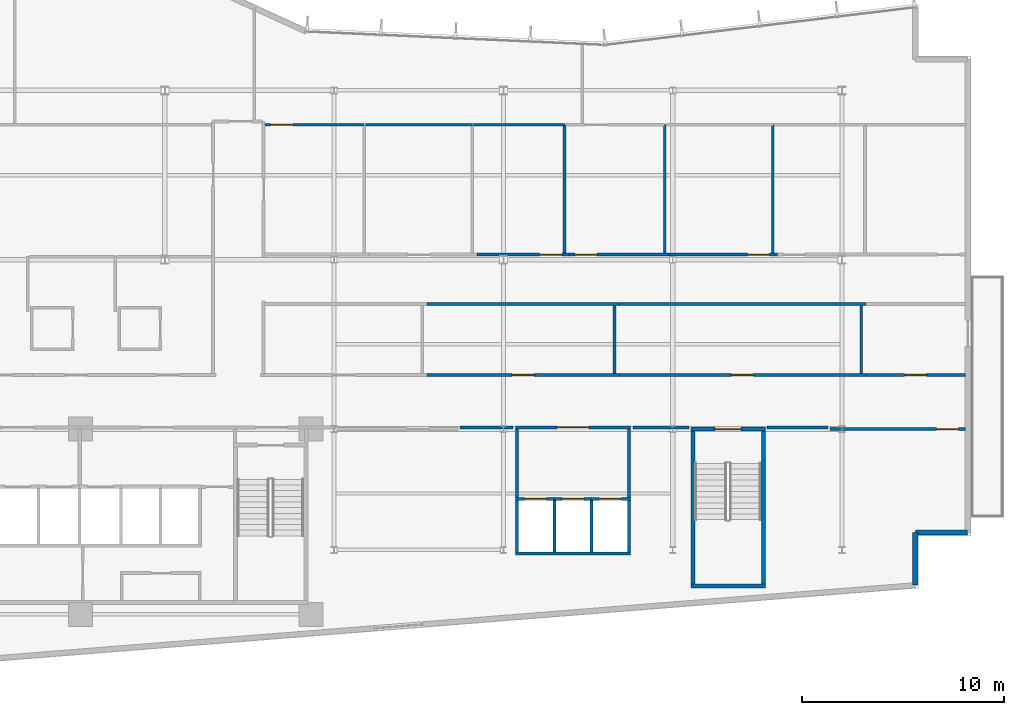
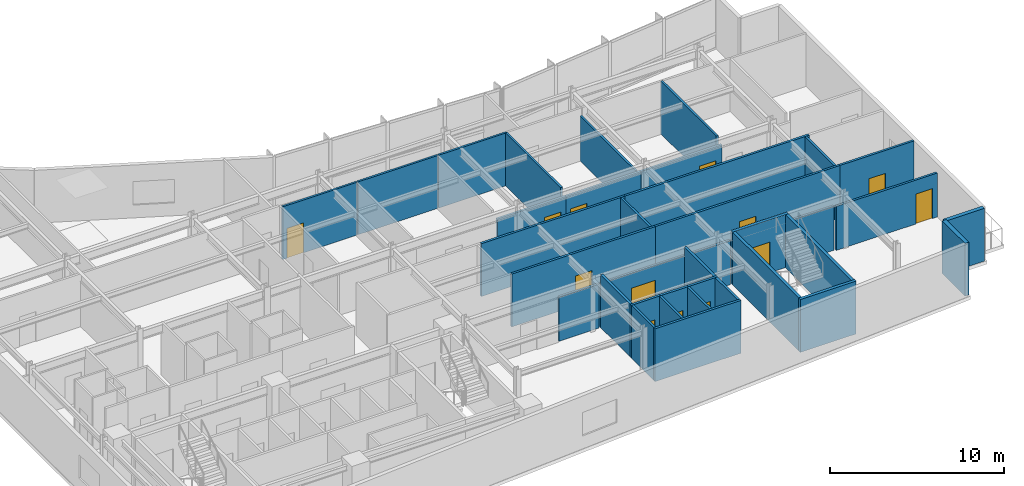
# One storey, part 12 of 18: 37 walls, 13 doors, 13 openings.
"""IFC4 building model written with IfcOpenShell, lengths in metres."""

import ifcopenshell
import ifcopenshell.guid

model = None  # the IFC model being written
_history = None  # IfcOwnerHistory: only IFC2X3 demands one
_inside = {}  # id of a spatial element -> (the spatial element, [elements in it])
_under = {}  # id of a project, library or spatial element -> (it, [spatial elements below it])
_declared = {}  # id of a project -> (the project, [libraries it declares])
_typed = {}  # id of a type object -> (the type object, [elements of that type])
_made_of = {}  # id of a material, layer set ... -> (it, [elements and type objects made of it])


def new_model(schema):
    """Start an empty IFC model of exactly this schema.

    Asked for "IFC4X3", IfcOpenShell would pick the latest addendum, in which some entities
    have other attributes; the version numbers below select the first issue.
    IFC2X3 requires an IfcOwnerHistory on every rooted entity: one is made here for all.
    """
    global model, _history
    if schema == "IFC4X3":
        model = ifcopenshell.file(schema_version=(4, 3, 0, 0))
    else:
        model = ifcopenshell.file(schema=schema)
    _inside.clear()
    _under.clear()
    _declared.clear()
    _typed.clear()
    _made_of.clear()
    _history = None
    if model.schema == "IFC2X3":
        org = make("IfcOrganization", Name="unknown")
        user = make(
            "IfcPersonAndOrganization",
            ThePerson=make("IfcPerson", FamilyName="unknown"),
            TheOrganization=org,
        )
        app = make(
            "IfcApplication",
            ApplicationDeveloper=org,
            Version="unknown",
            ApplicationFullName="unknown",
            ApplicationIdentifier="unknown",
        )
        _history = make(
            "IfcOwnerHistory",
            OwningUser=user,
            OwningApplication=app,
            ChangeAction="ADDED",
            CreationDate=0,
        )
    return model


def make(cls, **values):
    """One entity of the class cls with the attributes given. An attribute that is None is left unset."""
    return model.create_entity(
        cls, **{name: value for name, value in values.items() if value is not None}
    )


def rooted(cls, **values):
    """An entity with a GlobalId (a new one), such as an element, a storey or a relation."""
    return make(cls, GlobalId=ifcopenshell.guid.new(), OwnerHistory=_history, **values)


def si_unit(unit_type, name, prefix=None):
    """IfcSIUnit, for example si_unit("LENGTHUNIT", "METRE", prefix="MILLI")."""
    return make("IfcSIUnit", UnitType=unit_type, Prefix=prefix, Name=name)


def assignment(units):
    """IfcUnitAssignment: the units of a project."""
    return None if units is None else make("IfcUnitAssignment", Units=units)


def point(xyz):
    """IfcCartesianPoint."""
    return None if xyz is None else make("IfcCartesianPoint", Coordinates=xyz)


def direction(xyz):
    """IfcDirection."""
    return None if xyz is None else make("IfcDirection", DirectionRatios=xyz)


def frame(location, z_axis=None, x_axis=None):
    """IfcAxis2Placement3D, a coordinate frame: its origin and axes. An axis left out is left unset."""
    return make(
        "IfcAxis2Placement3D",
        Location=point(location),
        Axis=direction(z_axis),
        RefDirection=direction(x_axis),
    )


def frame_2d(location, x_axis=None):
    """IfcAxis2Placement2D, a coordinate frame in the plane: its origin and x axis."""
    return make(
        "IfcAxis2Placement2D", Location=point(location), RefDirection=direction(x_axis)
    )


def origin():
    """The frame at (0, 0, 0) with its axes left unset."""
    return frame((0.0, 0.0, 0.0))


def place(relative_to, where):
    """IfcLocalPlacement: puts the frame where relative to a parent placement (None: the world)."""
    return make(
        "IfcLocalPlacement", PlacementRelTo=relative_to, RelativePlacement=where
    )


def context(
    kind, dimensions, precision=None, world=None, true_north=None, identifier=None
):
    """IfcGeometricRepresentationContext, for example the 3D "Model" context."""
    return make(
        "IfcGeometricRepresentationContext",
        ContextIdentifier=identifier,
        ContextType=kind,
        CoordinateSpaceDimension=dimensions,
        Precision=precision,
        WorldCoordinateSystem=world,
        TrueNorth=true_north,
    )


def subcontext(parent, identifier, kind, view, scale=None):
    """IfcGeometricRepresentationSubContext, for example "Body" below "Model"."""
    return make(
        "IfcGeometricRepresentationSubContext",
        ContextIdentifier=identifier,
        ContextType=kind,
        ParentContext=parent,
        TargetScale=scale,
        TargetView=view,
    )


def project(units=None, contexts=None):
    """IfcProject with its units and contexts."""
    return rooted(
        "IfcProject",
        Name="project",
        RepresentationContexts=contexts,
        UnitsInContext=assignment(units),
    )


def spatial(cls, under=None, at=None, **own):
    """A site, building, storey or space (cls), placed at a placement, below another one or the project."""
    s = rooted(cls, ObjectPlacement=at, **own)
    if under is not None:
        _under.setdefault(under.id(), (under, []))[1].append(s)
    return s


def profile(cls, at=None, kind="AREA", **sizes):
    """A parametric profile (cls). Its sizes go by their IFC names, for example OverallWidth=200.0."""
    return make(cls, ProfileType=kind, Position=at, **sizes)


def rectangle(**sizes):
    """IfcRectangleProfileDef."""
    return profile("IfcRectangleProfileDef", **sizes)


def extrude(swept, where, along, depth):
    """IfcExtrudedAreaSolid: the profile swept, set in the frame where, extruded along a direction by depth."""
    return make(
        "IfcExtrudedAreaSolid",
        SweptArea=swept,
        Position=where,
        ExtrudedDirection=direction(along),
        Depth=depth,
    )


def shape(context_of_items, identifier, shape_type, items):
    """IfcShapeRepresentation: the items that make up one representation, for example the "Body"."""
    return make(
        "IfcShapeRepresentation",
        ContextOfItems=context_of_items,
        RepresentationIdentifier=identifier,
        RepresentationType=shape_type,
        Items=items,
    )


def material(Name=None, Category=None):
    """IfcMaterial."""
    return make("IfcMaterial", Name=Name, Category=Category)


def layer(
    of_material, thickness, ventilated=None, Name=None, Category=None, Priority=None
):
    """IfcMaterialLayer: one layer of a wall or slab, of a material (None: an air gap)."""
    return make(
        "IfcMaterialLayer",
        Material=of_material,
        LayerThickness=thickness,
        IsVentilated=ventilated,
        Name=Name,
        Category=Category,
        Priority=Priority,
    )


def layer_set(layers, Name=None):
    """IfcMaterialLayerSet."""
    return make("IfcMaterialLayerSet", MaterialLayers=layers, LayerSetName=Name)


def made_of(thing, what):
    """Note that an element or type object is made of a material, layer set ...; save() writes the relation."""
    if what is not None:
        _made_of.setdefault(what.id(), (what, []))[1].append(thing)
    return thing


def type_object(cls, material=None, **own):
    """A type object (cls), such as IfcWallType, which elements share."""
    return made_of(rooted(cls, **own), material)


def element(
    cls,
    number,
    at=None,
    inside=None,
    cuts=None,
    type_object=None,
    material=None,
    context=None,
    identifier="Body",
    shape_type=None,
    held_by="IfcProductDefinitionShape",
    body=None,
    shapes=None,
    **own,
):
    """One element of the class cls, such as IfcWall. Its Tag is "e" and its number.

    at: its placement. inside: the storey or other place that contains it. cuts: it is an
    opening in that element (IfcRelVoidsElement). A single representation is given by context,
    identifier, shape_type and body (its items); several are given by shapes. held_by: the class
    of the entity that holds the representations. save() writes the other relations.
    """
    e = rooted(cls, Tag="e%d" % number, ObjectPlacement=at, **own)
    if body is not None:
        shapes = [shape(context, identifier, shape_type, body)]
    if shapes is not None:
        e.Representation = make(held_by, Representations=shapes)
    if inside is not None:
        _inside.setdefault(inside.id(), (inside, []))[1].append(e)
    if cuts is not None:
        rooted(
            "IfcRelVoidsElement", RelatingBuildingElement=cuts, RelatedOpeningElement=e
        )
    if type_object is not None:
        _typed.setdefault(type_object.id(), (type_object, []))[1].append(e)
    return made_of(e, material)


def fill(opening, filler):
    """IfcRelFillsElement: the door or window that sits in an opening."""
    return rooted(
        "IfcRelFillsElement",
        RelatingOpeningElement=opening,
        RelatedBuildingElement=filler,
    )


def aggregate(whole, parts):
    """IfcRelAggregates: a whole, such as a stair, and the parts it consists of."""
    return rooted("IfcRelAggregates", RelatingObject=whole, RelatedObjects=parts)


def save(model, path):
    """Write the relations noted so far, then the file.

    IfcRelAggregates (storeys below a building ...), IfcRelContainedInSpatialStructure (elements
    in a storey), IfcRelDefinesByType, IfcRelAssociatesMaterial and IfcRelDeclares: one each for
    every whole, place, type object, material and project.
    """
    for whole, parts in _under.values():
        aggregate(whole, parts)
    for where, things in _inside.values():
        rooted(
            "IfcRelContainedInSpatialStructure",
            RelatedElements=things,
            RelatingStructure=where,
        )
    for kind, things in _typed.values():
        rooted("IfcRelDefinesByType", RelatedObjects=things, RelatingType=kind)
    for what, things in _made_of.values():
        rooted("IfcRelAssociatesMaterial", RelatedObjects=things, RelatingMaterial=what)
    for by, libraries in _declared.values():
        rooted("IfcRelDeclares", RelatingContext=by, RelatedDefinitions=libraries)
    model.write(path)


model = new_model("IFC4")

# Units and contexts
model_context = context("Model", 3, precision=1e-05, world=origin(), true_north=direction((0.0, 1.0)))
body_context = subcontext(model_context, "Body", "Model", "MODEL_VIEW")
ifc_project = project(units=[si_unit("LENGTHUNIT", "METRE"), si_unit("AREAUNIT", "SQUARE_METRE"), si_unit("VOLUMEUNIT", "CUBIC_METRE"), si_unit("PLANEANGLEUNIT", "RADIAN"), si_unit("MASSUNIT", "GRAM", prefix="KILO")], contexts=[model_context])

# Site, building, storey
site_placement = place(None, origin())
site = spatial("IfcSite", under=ifc_project, at=site_placement, CompositionType="ELEMENT")
building_placement = place(site_placement, origin())
building = spatial("IfcBuilding", under=site, at=building_placement, Name="Varnakote Quay Hospital", CompositionType="ELEMENT")
storey_placement = place(building_placement, frame((0.0, 0.0, 150.75)))
storey = spatial("IfcBuildingStorey", under=building, at=storey_placement, Name="L37", CompositionType="ELEMENT", Elevation=150.75)

# Walls
ifc_material_1 = material(Name="Fire-rated acoustic gypsum stud wall", Category="gypsum")
ifc_layer_1 = layer(ifc_material_1, 0.159912109375)
ifc_layer_set_1 = layer_set([ifc_layer_1], Name="Fire-rated acoustic gypsum stud wall")
wall_type_1 = type_object("IfcWallType", Name="WL-COMP-160", PredefinedType="PARTITIONING", material=ifc_layer_set_1)
for number, where, z_axis, x_axis, name in (
    (1, (34.27001953125, 8.610107421875, 0.0), (0.0, 0.0, 1.0), (0.0, 1.0, 0.0), "L37 Mid-Rise Lift Lobby West Wall"),
    (2, (39.830078125, 8.610107421875, 0.0), (0.0, 0.0, 1.0), (0.0, 1.0, 0.0), "L37 Mid-Rise Lift Lobby East Wall"),
):
    element("IfcWall", number, at=place(storey_placement, frame(where, z_axis=z_axis, x_axis=x_axis)), inside=storey, type_object=wall_type_1, Name=name, PredefinedType="PARTITIONING", context=body_context, shape_type="SweptSolid", body=[
        extrude(rectangle(XDim=3.389892578125, YDim=0.159912109375, at=frame_2d((1.69482421875, 0.0))), origin(), (0.0, 0.0, 1.0), 3.7099609375),
    ])

# Wall, opening, door
wall_1_placement = place(storey_placement, frame((34.18994140625, 12.080078125, 0.0), z_axis=(0.0, 0.0, 1.0), x_axis=(1.0, 0.0, 0.0)))
wall_1 = element("IfcWall", 3, at=wall_1_placement, inside=storey, type_object=wall_type_1, Name="L37 Mid-Rise Lift Lobby North Wall", PredefinedType="PARTITIONING", context=body_context, shape_type="SweptSolid", body=[
    extrude(rectangle(XDim=5.719970703125, YDim=0.159912109375, at=frame_2d((2.85986328125, 0.0))), origin(), (0.0, 0.0, 1.0), 3.0830078125),
])
opening_1_placement = place(wall_1_placement, frame((2.06005859375, 0.0, 0.0)))
opening_1 = element("IfcOpeningElement", 4, at=opening_1_placement, cuts=wall_1, Name="Opening D-PML-L37", PredefinedType="OPENING", context=body_context, shape_type="SweptSolid", body=[
    extrude(rectangle(XDim=1.60009765625, YDim=2.050048828125, at=frame_2d((0.800048828125, 1.02490234375))), frame((0.0, 0.08984375, 0.0), z_axis=(0.0, -1.0, 0.0), x_axis=(1.0, 0.0, 0.0)), (0.0, 0.0, 1.0), 0.179931640625),
])
ifc_material_2 = material(Name="Fire-rated double smoke lobby door")
door_type_1 = type_object("IfcDoorType", Name="DR-LOBBY-FD60S-1600x2150", OperationType="NOTDEFINED", PredefinedType="DOOR", material=ifc_material_2)
door_1_placement = place(opening_1_placement, origin())
door_1 = element("IfcDoor", 5, at=door_1_placement, inside=storey, type_object=door_type_1, Name="L37 Mid-Rise Passenger Concourse Vestibule Door", OperationType="DOUBLE_DOOR_SINGLE_SWING", OverallHeight=2.050048828125, OverallWidth=1.60009765625, PredefinedType="DOOR", context=body_context, shape_type="SweptSolid", body=[
    extrude(rectangle(XDim=1.60009765625, YDim=2.050048828125, at=frame_2d((0.800048828125, 1.02490234375))), frame((0.0, 0.02490234375, 0.0), z_axis=(0.0, -1.0, 0.0), x_axis=(1.0, 0.0, 0.0)), (0.0, 0.0, 1.0), 0.050048828125),
])
fill(opening_1, door_1)

# Walls
wall_2_placement = place(storey_placement, frame((31.439208984375, 12.080078125, 0.0), z_axis=(0.0, 0.0, 1.0), x_axis=(1.0, 0.0, 0.0)))
element("IfcWall", 6, at=wall_2_placement, inside=storey, type_object=wall_type_1, Name="L37 Corridor South Gap Wall", PredefinedType="PARTITIONING", context=body_context, shape_type="SweptSolid", body=[
    extrude(rectangle(XDim=2.630859375, YDim=0.159912109375, at=frame_2d((1.3154296875, 0.0))), origin(), (0.0, 0.0, 1.0), 3.0830078125),
])
wall_3_placement = place(storey_placement, frame((40.030029296875, 12.080078125, 0.0), z_axis=(0.0, 0.0, 1.0), x_axis=(1.0, 0.0, 0.0)))
element("IfcWall", 7, at=wall_3_placement, inside=storey, type_object=wall_type_1, Name="L37 Corridor South Gap Wall", PredefinedType="PARTITIONING", context=body_context, shape_type="SweptSolid", body=[
    extrude(rectangle(XDim=2.78076171875, YDim=0.159912109375, at=frame_2d((1.390380859375, 0.0))), origin(), (0.0, 0.0, 1.0), 3.0830078125),
])
wall_4_placement = place(storey_placement, frame((46.689208984375, 12.080078125, 0.0), z_axis=(0.0, 0.0, 1.0), x_axis=(1.0, 0.0, 0.0)))
element("IfcWall", 8, at=wall_4_placement, inside=storey, type_object=wall_type_1, Name="L37 Corridor South Gap Wall", PredefinedType="PARTITIONING", context=body_context, shape_type="SweptSolid", body=[
    extrude(rectangle(XDim=3.0107421875, YDim=0.159912109375, at=frame_2d((1.50537109375, 0.0))), origin(), (0.0, 0.0, 1.0), 3.0830078125),
])
ifc_material_3 = material(Name="Precast concrete N50 (f'c 50 MPa)", Category="concrete")
ifc_layer_2 = layer(ifc_material_3, 0.260009765625)
ifc_layer_set_2 = layer_set([ifc_layer_2], Name="Precast concrete N50 (f'c 50 MPa)")
wall_type_2 = type_object("IfcWallType", Name="WL-EXT-BRICK-260", PredefinedType="STANDARD", material=ifc_layer_set_2)
wall_5_placement = place(storey_placement, frame((54.0400390625, 4.247802734375, 0.0), z_axis=(0.0, 0.0, 1.0), x_axis=(0.0, 1.0, 0.0)))
element("IfcWall", 9, at=wall_5_placement, inside=storey, type_object=wall_type_2, Name="L37 Brick-Faced Precast Exterior Wall", PredefinedType="STANDARD", context=body_context, shape_type="SweptSolid", body=[
    extrude(rectangle(XDim=2.6123046875, YDim=0.260009765625, at=frame_2d((1.30615234375, 0.0))), origin(), (0.0, 0.0, 1.0), 3.7099609375),
])
wall_6_placement = place(storey_placement, frame((54.0400390625, 6.860107421875, 0.0), z_axis=(0.0, 0.0, 1.0), x_axis=(1.0, 0.0, 0.0)))
element("IfcWall", 10, at=wall_6_placement, inside=storey, type_object=wall_type_2, Name="L37 Brick-Faced Precast Exterior Wall", PredefinedType="STANDARD", context=body_context, shape_type="SweptSolid", body=[
    extrude(rectangle(XDim=2.599853515625, YDim=0.260009765625, at=frame_2d((1.2998046875, 0.0))), origin(), (0.0, 0.0, 1.0), 3.7099609375),
])
ifc_material_4 = material(Name="Concrete N50 (f'c 50 MPa)", Category="concrete")
ifc_layer_3 = layer(ifc_material_4, 0.14990234375)
ifc_layer_set_3 = layer_set([ifc_layer_3], Name="Concrete N50 (f'c 50 MPa)")
wall_type_3 = type_object("IfcWallType", Name="WL-SHAFT-N50-150", PredefinedType="SHEAR", material=ifc_layer_set_3)
for number, where, z_axis, x_axis, name in (
    (11, (36.125, 5.89990234375, 0.0), (0.0, 0.0, 1.0), (0.0, 1.0, 0.0), "L37 LF-PM1 Hoistway Divider Wall"),
    (12, (37.97509765625, 5.89990234375, 0.0), (0.0, 0.0, 1.0), (0.0, 1.0, 0.0), "L37 LF-PM2 Hoistway Divider Wall"),
):
    element("IfcWall", number, at=place(storey_placement, frame(where, z_axis=z_axis, x_axis=x_axis)), inside=storey, type_object=wall_type_3, Name=name, PredefinedType="SHEAR", context=body_context, shape_type="SweptSolid", body=[
        extrude(rectangle(XDim=2.550048828125, YDim=0.14990234375, at=frame_2d((1.27490234375, 0.0))), origin(), (0.0, 0.0, 1.0), 3.7099609375),
    ])
ifc_material_5 = material(Name="Concrete N50 (f'c 50 MPa)", Category="concrete")
ifc_layer_4 = layer(ifc_material_5, 0.159912109375)
ifc_layer_set_4 = layer_set([ifc_layer_4], Name="Concrete N50 (f'c 50 MPa)")
wall_type_4 = type_object("IfcWallType", Name="WL-SHAFT-N50-160", PredefinedType="SHEAR", material=ifc_layer_set_4)
wall_7_placement = place(storey_placement, frame((34.18994140625, 5.820068359375, 0.0), z_axis=(0.0, 0.0, 1.0), x_axis=(1.0, 0.0, 0.0)))
element("IfcWall", 13, at=wall_7_placement, inside=storey, type_object=wall_type_4, Name="L37 MID Lift Bank Back Shear Wall", PredefinedType="SHEAR", context=body_context, shape_type="SweptSolid", body=[
    extrude(rectangle(XDim=5.719970703125, YDim=0.159912109375, at=frame_2d((2.85986328125, 0.0))), origin(), (0.0, 0.0, 1.0), 3.7099609375),
])
for number, where, z_axis, x_axis, name in (
    (14, (34.27001953125, 5.89990234375, 0.0), (0.0, 0.0, 1.0), (0.0, 1.0, 0.0), "L37 MID Lift Bank West Shear Wall"),
    (15, (39.830078125, 5.89990234375, 0.0), (0.0, 0.0, 1.0), (0.0, 1.0, 0.0), "L37 MID Lift Bank East Shear Wall"),
):
    element("IfcWall", number, at=place(storey_placement, frame(where, z_axis=z_axis, x_axis=x_axis)), inside=storey, type_object=wall_type_4, Name=name, PredefinedType="SHEAR", context=body_context, shape_type="SweptSolid", body=[
        extrude(rectangle(XDim=2.550048828125, YDim=0.159912109375, at=frame_2d((1.27490234375, 0.0))), origin(), (0.0, 0.0, 1.0), 3.7099609375),
    ])

# Wall, opening, door
wall_8_placement = place(storey_placement, frame((34.18994140625, 8.530029296875, 0.0), z_axis=(0.0, 0.0, 1.0), x_axis=(1.0, 0.0, 0.0)))
wall_8 = element("IfcWall", 16, at=wall_8_placement, inside=storey, type_object=wall_type_4, Name="L37 LF-PM1 Hoistway Front Wall", PredefinedType="SHEAR", context=body_context, shape_type="SweptSolid", body=[
    extrude(rectangle(XDim=1.93505859375, YDim=0.159912109375, at=frame_2d((0.967529296875, 0.0))), origin(), (0.0, 0.0, 1.0), 3.7099609375),
])
opening_2_placement = place(wall_8_placement, frame((0.4599609375, 0.0, 0.0)))
opening_2 = element("IfcOpeningElement", 17, at=opening_2_placement, cuts=wall_8, Name="Opening LD-PM1-L37", PredefinedType="OPENING", context=body_context, shape_type="SweptSolid", body=[
    extrude(rectangle(XDim=1.10009765625, YDim=2.14990234375, at=frame_2d((0.550048828125, 1.074951171875))), frame((0.0, 0.08984375, 0.0), z_axis=(0.0, -1.0, 0.0), x_axis=(1.0, 0.0, 0.0)), (0.0, 0.0, 1.0), 0.179931640625),
])
ifc_material_6 = material(Name="Brushed bronze lift landing sliding door")
door_type_2 = type_object("IfcDoorType", Name="DR-LIFT-LD-1100x2150", OperationType="NOTDEFINED", PredefinedType="DOOR", material=ifc_material_6)
door_2_placement = place(opening_2_placement, origin())
door_2 = element("IfcDoor", 18, at=door_2_placement, inside=storey, type_object=door_type_2, Name="L37 LF-PM1 Lift Landing Sliding Door", OperationType="SLIDING_TO_LEFT", OverallHeight=2.14990234375, OverallWidth=1.10009765625, PredefinedType="DOOR", context=body_context, shape_type="SweptSolid", body=[
    extrude(rectangle(XDim=1.10009765625, YDim=2.14990234375, at=frame_2d((0.550048828125, 1.074951171875))), frame((0.0, 0.02490234375, 0.0), z_axis=(0.0, -1.0, 0.0), x_axis=(1.0, 0.0, 0.0)), (0.0, 0.0, 1.0), 0.050048828125),
])
fill(opening_2, door_2)

wall_9_placement = place(storey_placement, frame((36.125, 8.530029296875, 0.0), z_axis=(0.0, 0.0, 1.0), x_axis=(1.0, 0.0, 0.0)))
wall_9 = element("IfcWall", 19, at=wall_9_placement, inside=storey, type_object=wall_type_4, Name="L37 LF-PM2 Hoistway Front Wall", PredefinedType="SHEAR", context=body_context, shape_type="SweptSolid", body=[
    extrude(rectangle(XDim=1.85009765625, YDim=0.159912109375, at=frame_2d((0.925048828125, 0.0))), origin(), (0.0, 0.0, 1.0), 3.7099609375),
])
opening_3_placement = place(wall_9_placement, frame((0.375, 0.0, 0.0)))
opening_3 = element("IfcOpeningElement", 20, at=opening_3_placement, cuts=wall_9, Name="Opening LD-PM2-L37", PredefinedType="OPENING", context=body_context, shape_type="SweptSolid", body=[
    extrude(rectangle(XDim=1.10009765625, YDim=2.14990234375, at=frame_2d((0.550048828125, 1.074951171875))), frame((0.0, 0.08984375, 0.0), z_axis=(0.0, -1.0, 0.0), x_axis=(1.0, 0.0, 0.0)), (0.0, 0.0, 1.0), 0.179931640625),
])
door_3_placement = place(opening_3_placement, origin())
door_3 = element("IfcDoor", 21, at=door_3_placement, inside=storey, type_object=door_type_2, Name="L37 LF-PM2 Lift Landing Sliding Door", OperationType="SLIDING_TO_LEFT", OverallHeight=2.14990234375, OverallWidth=1.10009765625, PredefinedType="DOOR", context=body_context, shape_type="SweptSolid", body=[
    extrude(rectangle(XDim=1.10009765625, YDim=2.14990234375, at=frame_2d((0.550048828125, 1.074951171875))), frame((0.0, 0.02490234375, 0.0), z_axis=(0.0, -1.0, 0.0), x_axis=(1.0, 0.0, 0.0)), (0.0, 0.0, 1.0), 0.050048828125),
])
fill(opening_3, door_3)

wall_10_placement = place(storey_placement, frame((37.97509765625, 8.530029296875, 0.0), z_axis=(0.0, 0.0, 1.0), x_axis=(1.0, 0.0, 0.0)))
wall_10 = element("IfcWall", 22, at=wall_10_placement, inside=storey, type_object=wall_type_4, Name="L37 LF-PM3 Hoistway Front Wall", PredefinedType="SHEAR", context=body_context, shape_type="SweptSolid", body=[
    extrude(rectangle(XDim=1.934814453125, YDim=0.159912109375, at=frame_2d((0.96728515625, 0.0))), origin(), (0.0, 0.0, 1.0), 3.7099609375),
])
opening_4_placement = place(wall_10_placement, frame((0.375, 0.0, 0.0)))
opening_4 = element("IfcOpeningElement", 23, at=opening_4_placement, cuts=wall_10, Name="Opening LD-PM3-L37", PredefinedType="OPENING", context=body_context, shape_type="SweptSolid", body=[
    extrude(rectangle(XDim=1.10009765625, YDim=2.14990234375, at=frame_2d((0.550048828125, 1.074951171875))), frame((0.0, 0.08984375, 0.0), z_axis=(0.0, -1.0, 0.0), x_axis=(1.0, 0.0, 0.0)), (0.0, 0.0, 1.0), 0.179931640625),
])
door_4_placement = place(opening_4_placement, origin())
door_4 = element("IfcDoor", 24, at=door_4_placement, inside=storey, type_object=door_type_2, Name="L37 LF-PM3 Lift Landing Sliding Door", OperationType="SLIDING_TO_LEFT", OverallHeight=2.14990234375, OverallWidth=1.10009765625, PredefinedType="DOOR", context=body_context, shape_type="SweptSolid", body=[
    extrude(rectangle(XDim=1.10009765625, YDim=2.14990234375, at=frame_2d((0.550048828125, 1.074951171875))), frame((0.0, 0.02490234375, 0.0), z_axis=(0.0, -1.0, 0.0), x_axis=(1.0, 0.0, 0.0)), (0.0, 0.0, 1.0), 0.050048828125),
])
fill(opening_4, door_4)

# Walls
ifc_material_7 = material(Name="Concrete N50 (f'c 50 MPa)", Category="concrete")
ifc_layer_5 = layer(ifc_material_7, 0.199951171875)
ifc_layer_set_5 = layer_set([ifc_layer_5], Name="Concrete N50 (f'c 50 MPa)")
wall_type_5 = type_object("IfcWallType", Name="WL-SHAFT-N50-200", PredefinedType="SHEAR", material=ifc_layer_set_5)
wall_11_placement = place(storey_placement, frame((42.89990234375, 4.199951171875, 0.0), z_axis=(0.0, 0.0, 1.0), x_axis=(1.0, 0.0, 0.0)))
element("IfcWall", 25, at=wall_11_placement, inside=storey, type_object=wall_type_5, Name="L37 Stair ST3 South Shaft Wall", PredefinedType="SHEAR", context=body_context, shape_type="SweptSolid", body=[
    extrude(rectangle(XDim=3.7001953125, YDim=0.199951171875, at=frame_2d((1.85009765625, 0.0))), origin(), (0.0, 0.0, 1.0), 3.7099609375),
])
for number, where, z_axis, x_axis, name in (
    (26, (43.0, 4.300048828125, 0.0), (0.0, 0.0, 1.0), (0.0, 1.0, 0.0), "L37 Stair ST3 West Shaft Wall"),
    (27, (46.5, 4.300048828125, 0.0), (0.0, 0.0, 1.0), (0.0, 1.0, 0.0), "L37 Stair ST3 East Shaft Wall"),
):
    element("IfcWall", number, at=place(storey_placement, frame(where, z_axis=z_axis, x_axis=x_axis)), inside=storey, type_object=wall_type_5, Name=name, PredefinedType="SHEAR", context=body_context, shape_type="SweptSolid", body=[
        extrude(rectangle(XDim=7.599853515625, YDim=0.199951171875, at=frame_2d((3.7998046875, 0.0))), origin(), (0.0, 0.0, 1.0), 3.7099609375),
    ])

# Wall, opening, door
wall_12_placement = place(storey_placement, frame((42.89990234375, 12.0, 0.0), z_axis=(0.0, 0.0, 1.0), x_axis=(1.0, 0.0, 0.0)))
wall_12 = element("IfcWall", 28, at=wall_12_placement, inside=storey, type_object=wall_type_5, Name="L37 Stair ST3 Exit Wall", PredefinedType="SHEAR", context=body_context, shape_type="SweptSolid", body=[
    extrude(rectangle(XDim=3.7001953125, YDim=0.199951171875, at=frame_2d((1.85009765625, 0.0))), origin(), (0.0, 0.0, 1.0), 3.7099609375),
])
opening_5_placement = place(wall_12_placement, frame((1.199951171875, 0.0, 0.0)))
opening_5 = element("IfcOpeningElement", 29, at=opening_5_placement, cuts=wall_12, Name="Opening D-ST3-L37", PredefinedType="OPENING", context=body_context, shape_type="SweptSolid", body=[
    extrude(rectangle(XDim=1.300048828125, YDim=2.14990234375, at=frame_2d((0.64990234375, 1.074951171875))), frame((0.0, 0.10986328125, 0.0), z_axis=(0.0, -1.0, 0.0), x_axis=(1.0, 0.0, 0.0)), (0.0, 0.0, 1.0), 0.219970703125),
])
ifc_material_8 = material(Name="Fire-rated ceramic-glazed timber exit door", Category="wood")
door_type_3 = type_object("IfcDoorType", Name="DR-STAIR-FD60S-1300x2150", OperationType="NOTDEFINED", PredefinedType="DOOR", material=ifc_material_8)
door_5_placement = place(opening_5_placement, origin())
door_5 = element("IfcDoor", 30, at=door_5_placement, inside=storey, type_object=door_type_3, Name="L37 Stair ST3 Fire Exit Door", OperationType="SINGLE_SWING_LEFT", OverallHeight=2.14990234375, OverallWidth=1.300048828125, PredefinedType="DOOR", context=body_context, shape_type="SweptSolid", body=[
    extrude(rectangle(XDim=1.300048828125, YDim=2.14990234375, at=frame_2d((0.64990234375, 1.074951171875))), frame((0.0, 0.02490234375, 0.0), z_axis=(0.0, -1.0, 0.0), x_axis=(1.0, 0.0, 0.0)), (0.0, 0.0, 1.0), 0.050048828125),
])
fill(opening_5, door_5)

# Walls
ifc_material_9 = material(Name="Smoke-proof clinical partition", Category="gypsum")
ifc_layer_6 = layer(ifc_material_9, 0.135009765625)
ifc_layer_set_6 = layer_set([ifc_layer_6], Name="Smoke-proof clinical partition")
wall_type_6 = type_object("IfcWallType", Name="WL-SMOKE-135", PredefinedType="PARTITIONING", material=ifc_layer_set_6)
for number, where, z_axis, x_axis, name in (
    (31, (39.110107421875, 14.760009765625, 0.0), (0.0, 0.0, 1.0), (0.0, 1.0, 0.0), "L37 Clinical Interior Partition"),
    (32, (51.360107421875, 14.760009765625, 0.0), (0.0, 0.0, 1.0), (0.0, 1.0, 0.0), "L37 Clinical Interior Partition"),
):
    element("IfcWall", number, at=place(storey_placement, frame(where, z_axis=z_axis, x_axis=x_axis)), inside=storey, type_object=wall_type_6, Name=name, PredefinedType="PARTITIONING", context=body_context, shape_type="SweptSolid", body=[
        extrude(rectangle(XDim=3.360107421875, YDim=0.135009765625, at=frame_2d((1.68017578125, 0.0))), origin(), (0.0, 0.0, 1.0), 3.7099609375),
    ])

# Wall, opening, door
wall_13_placement = place(storey_placement, frame((26.68994140625, 27.10009765625, 0.0), z_axis=(0.0, 0.0, 1.0), x_axis=(-1.0, 0.0, 0.0)))
wall_13 = element("IfcWall", 33, at=wall_13_placement, inside=storey, type_object=wall_type_6, Name="L37 Clinical Interior Partition", PredefinedType="PARTITIONING", context=body_context, shape_type="SweptSolid", body=[
    extrude(rectangle(XDim=4.925048828125, YDim=0.135009765625, at=frame_2d((2.46240234375, 0.0))), origin(), (0.0, 0.0, 1.0), 3.7099609375),
])
opening_6_placement = place(wall_13_placement, frame((3.539306640625, 0.0, 0.0)))
opening_6 = element("IfcOpeningElement", 34, at=opening_6_placement, cuts=wall_13, Name="Opening D-L37-MD16", PredefinedType="OPENING", context=body_context, shape_type="SweptSolid", body=[
    extrude(rectangle(XDim=1.10009765625, YDim=2.10009765625, at=frame_2d((0.550048828125, 1.050048828125))), frame((0.0, 0.077392578125, 0.0), z_axis=(0.0, -1.0, 0.0), x_axis=(1.0, 0.0, 0.0)), (0.0, 0.0, 1.0), 0.155029296875),
])
ifc_material_10 = material(Name="Acoustic timber clinical consult door", Category="wood")
door_type_4 = type_object("IfcDoorType", Name="DR-CLIN-FD30S-1100x2100", OperationType="NOTDEFINED", PredefinedType="DOOR", material=ifc_material_10)
door_6_placement = place(opening_6_placement, origin())
door_6 = element("IfcDoor", 35, at=door_6_placement, inside=storey, type_object=door_type_4, Name="L37 Nutrition Seminar Teaching Room Door", OperationType="SINGLE_SWING_RIGHT", OverallHeight=2.10009765625, OverallWidth=1.10009765625, PredefinedType="DOOR", context=body_context, shape_type="SweptSolid", body=[
    extrude(rectangle(XDim=1.10009765625, YDim=2.10009765625, at=frame_2d((0.550048828125, 1.050048828125))), frame((0.0, 0.02490234375, 0.0), z_axis=(0.0, -1.0, 0.0), x_axis=(1.0, 0.0, 0.0)), (0.0, 0.0, 1.0), 0.050048828125),
])
fill(opening_6, door_6)

# Walls
wall_14_placement = place(storey_placement, frame((32.06005859375, 27.10009765625, 0.0), z_axis=(0.0, 0.0, 1.0), x_axis=(-1.0, 0.0, 0.0)))
element("IfcWall", 36, at=wall_14_placement, inside=storey, type_object=wall_type_6, Name="L37 Clinical Interior Partition", PredefinedType="PARTITIONING", context=body_context, shape_type="SweptSolid", body=[
    extrude(rectangle(XDim=5.3125, YDim=0.135009765625, at=frame_2d((2.65625, 0.0))), origin(), (0.0, 0.0, 1.0), 3.7099609375),
])
wall_15_placement = place(storey_placement, frame((36.6298828125, 20.715087890625, 0.0), z_axis=(0.0, 0.0, 1.0), x_axis=(0.0, 1.0, 0.0)))
element("IfcWall", 37, at=wall_15_placement, inside=storey, type_object=wall_type_6, Name="L37 Clinical Interior Partition", PredefinedType="PARTITIONING", context=body_context, shape_type="SweptSolid", body=[
    extrude(rectangle(XDim=6.385009765625, YDim=0.135009765625, at=frame_2d((3.1923828125, 0.0))), origin(), (0.0, 0.0, 1.0), 3.7099609375),
])
wall_16_placement = place(storey_placement, frame((36.6298828125, 27.10009765625, 0.0), z_axis=(0.0, 0.0, 1.0), x_axis=(-1.0, 0.0, 0.0)))
element("IfcWall", 38, at=wall_16_placement, inside=storey, type_object=wall_type_6, Name="L37 Clinical Interior Partition", PredefinedType="PARTITIONING", context=body_context, shape_type="SweptSolid", body=[
    extrude(rectangle(XDim=4.512451171875, YDim=0.135009765625, at=frame_2d((2.25634765625, 0.0))), origin(), (0.0, 0.0, 1.0), 3.7099609375),
])
wall_17_placement = place(storey_placement, frame((41.60009765625, 20.715087890625, 0.0), z_axis=(0.0, 0.0, 1.0), x_axis=(0.0, 1.0, 0.0)))
element("IfcWall", 39, at=wall_17_placement, inside=storey, type_object=wall_type_6, Name="L37 Clinical Interior Partition", PredefinedType="PARTITIONING", context=body_context, shape_type="SweptSolid", body=[
    extrude(rectangle(XDim=6.385009765625, YDim=0.135009765625, at=frame_2d((3.1923828125, 0.0))), origin(), (0.0, 0.0, 1.0), 3.152099609375),
])
wall_18_placement = place(storey_placement, frame((46.969970703125, 20.715087890625, 0.0), z_axis=(0.0, 0.0, 1.0), x_axis=(0.0, 1.0, 0.0)))
element("IfcWall", 40, at=wall_18_placement, inside=storey, type_object=wall_type_6, Name="L37 Clinical Interior Partition", PredefinedType="PARTITIONING", context=body_context, shape_type="SweptSolid", body=[
    extrude(rectangle(XDim=6.385009765625, YDim=0.135009765625, at=frame_2d((3.1923828125, 0.0))), origin(), (0.0, 0.0, 1.0), 3.7099609375),
])

# Wall, opening, door
ifc_material_11 = material(Name="Fire-rated clinical gypsum partition", Category="gypsum")
ifc_layer_7 = layer(ifc_material_11, 0.14990234375)
ifc_layer_set_7 = layer_set([ifc_layer_7], Name="Fire-rated clinical gypsum partition")
wall_type_7 = type_object("IfcWallType", Name="WL-WARD-150", PredefinedType="PARTITIONING", material=ifc_layer_set_7)
wall_19_placement = place(storey_placement, frame((56.52001953125, 12.0, 0.0), z_axis=(0.0, 0.0, 1.0), x_axis=(-1.0, 0.0, 0.0)))
wall_19 = element("IfcWall", 41, at=wall_19_placement, inside=storey, type_object=wall_type_7, Name="L37 Clinical Interior Partition", PredefinedType="PARTITIONING", context=body_context, shape_type="SweptSolid", body=[
    extrude(rectangle(XDim=6.719970703125, YDim=0.14990234375, at=frame_2d((3.35986328125, 0.0))), origin(), (0.0, 0.0, 1.0), 3.0830078125),
])
opening_7_placement = place(wall_19_placement, frame((0.33056640625, 0.0, 0.0)))
opening_7 = element("IfcOpeningElement", 42, at=opening_7_placement, cuts=wall_19, Name="Opening D-L37-SE1", PredefinedType="OPENING", context=body_context, shape_type="SweptSolid", body=[
    extrude(rectangle(XDim=1.10009765625, YDim=2.10009765625, at=frame_2d((0.550048828125, 1.050048828125))), frame((0.0, 0.0849609375, 0.0), z_axis=(0.0, -1.0, 0.0), x_axis=(1.0, 0.0, 0.0)), (0.0, 0.0, 1.0), 0.169921875),
])
door_7_placement = place(opening_7_placement, origin())
door_7 = element("IfcDoor", 43, at=door_7_placement, inside=storey, type_object=door_type_4, Name="L37 Clinical Biomedical Engineering Office Door", OperationType="SINGLE_SWING_RIGHT", OverallHeight=2.10009765625, OverallWidth=1.10009765625, PredefinedType="DOOR", context=body_context, shape_type="SweptSolid", body=[
    extrude(rectangle(XDim=1.10009765625, YDim=2.10009765625, at=frame_2d((0.550048828125, 1.050048828125))), frame((0.0, 0.02490234375, 0.0), z_axis=(0.0, -1.0, 0.0), x_axis=(1.0, 0.0, 0.0)), (0.0, 0.0, 1.0), 0.050048828125),
])
fill(opening_7, door_7)

wall_20_placement = place(storey_placement, frame((39.3359375, 14.679931640625, 0.0), z_axis=(0.0, 0.0, 1.0), x_axis=(-1.0, 0.0, 0.0)))
wall_20 = element("IfcWall", 44, at=wall_20_placement, inside=storey, type_object=wall_type_7, Name="L37 Clinical Interior Partition", PredefinedType="PARTITIONING", context=body_context, shape_type="SweptSolid", body=[
    extrude(rectangle(XDim=9.52783203125, YDim=0.14990234375, at=frame_2d((4.763916015625, 0.0))), origin(), (0.0, 0.0, 1.0), 3.7099609375),
])
opening_8_placement = place(wall_20_placement, frame((4.214111328125, 0.0, 0.0)))
opening_8 = element("IfcOpeningElement", 45, at=opening_8_placement, cuts=wall_20, Name="Opening D-L37-MD03", PredefinedType="OPENING", context=body_context, shape_type="SweptSolid", body=[
    extrude(rectangle(XDim=1.10009765625, YDim=2.10009765625, at=frame_2d((0.550048828125, 1.050048828125))), frame((0.0, 0.0849609375, 0.0), z_axis=(0.0, -1.0, 0.0), x_axis=(1.0, 0.0, 0.0)), (0.0, 0.0, 1.0), 0.169921875),
])
door_8_placement = place(opening_8_placement, origin())
door_8 = element("IfcDoor", 46, at=door_8_placement, inside=storey, type_object=door_type_4, Name="L37 Metabolic Rehabilitation Treatment Suite Door", OperationType="SINGLE_SWING_RIGHT", OverallHeight=2.10009765625, OverallWidth=1.10009765625, PredefinedType="DOOR", context=body_context, shape_type="SweptSolid", body=[
    extrude(rectangle(XDim=1.10009765625, YDim=2.10009765625, at=frame_2d((0.550048828125, 1.050048828125))), frame((0.0, 0.02490234375, 0.0), z_axis=(0.0, -1.0, 0.0), x_axis=(1.0, 0.0, 0.0)), (0.0, 0.0, 1.0), 0.050048828125),
])
fill(opening_8, door_8)

wall_21_placement = place(storey_placement, frame((51.5859375, 14.679931640625, 0.0), z_axis=(0.0, 0.0, 1.0), x_axis=(-1.0, 0.0, 0.0)))
wall_21 = element("IfcWall", 47, at=wall_21_placement, inside=storey, type_object=wall_type_7, Name="L37 Clinical Interior Partition", PredefinedType="PARTITIONING", context=body_context, shape_type="SweptSolid", body=[
    extrude(rectangle(XDim=12.248046875, YDim=0.14990234375, at=frame_2d((6.1240234375, 0.0))), origin(), (0.0, 0.0, 1.0), 3.7099609375),
])
opening_9_placement = place(wall_21_placement, frame((5.573974609375, 0.0, 0.0)))
opening_9 = element("IfcOpeningElement", 48, at=opening_9_placement, cuts=wall_21, Name="Opening D-L37-MD04", PredefinedType="OPENING", context=body_context, shape_type="SweptSolid", body=[
    extrude(rectangle(XDim=1.10009765625, YDim=2.10009765625, at=frame_2d((0.550048828125, 1.050048828125))), frame((0.0, 0.0849609375, 0.0), z_axis=(0.0, -1.0, 0.0), x_axis=(1.0, 0.0, 0.0)), (0.0, 0.0, 1.0), 0.169921875),
])
door_9_placement = place(opening_9_placement, origin())
door_9 = element("IfcDoor", 49, at=door_9_placement, inside=storey, type_object=door_type_4, Name="L37 Nutrition Seminar Teaching Room Door", OperationType="SINGLE_SWING_LEFT", OverallHeight=2.10009765625, OverallWidth=1.10009765625, PredefinedType="DOOR", context=body_context, shape_type="SweptSolid", body=[
    extrude(rectangle(XDim=1.10009765625, YDim=2.10009765625, at=frame_2d((0.550048828125, 1.050048828125))), frame((0.0, 0.02490234375, 0.0), z_axis=(0.0, -1.0, 0.0), x_axis=(1.0, 0.0, 0.0)), (0.0, 0.0, 1.0), 0.050048828125),
])
fill(opening_9, door_9)

wall_22_placement = place(storey_placement, frame((56.52001953125, 14.679931640625, 0.0), z_axis=(0.0, 0.0, 1.0), x_axis=(-1.0, 0.0, 0.0)))
wall_22 = element("IfcWall", 50, at=wall_22_placement, inside=storey, type_object=wall_type_7, Name="L37 Clinical Interior Partition", PredefinedType="PARTITIONING", context=body_context, shape_type="SweptSolid", body=[
    extrude(rectangle(XDim=4.93212890625, YDim=0.14990234375, at=frame_2d((2.466064453125, 0.0))), origin(), (0.0, 0.0, 1.0), 3.7099609375),
])
opening_10_placement = place(wall_22_placement, frame((1.916015625, 0.0, 0.0)))
opening_10 = element("IfcOpeningElement", 51, at=opening_10_placement, cuts=wall_22, Name="Opening D-L37-DLNG", PredefinedType="OPENING", context=body_context, shape_type="SweptSolid", body=[
    extrude(rectangle(XDim=1.10009765625, YDim=2.10009765625, at=frame_2d((0.550048828125, 1.050048828125))), frame((0.0, 0.0849609375, 0.0), z_axis=(0.0, -1.0, 0.0), x_axis=(1.0, 0.0, 0.0)), (0.0, 0.0, 1.0), 0.169921875),
])
door_10_placement = place(opening_10_placement, origin())
door_10 = element("IfcDoor", 52, at=door_10_placement, inside=storey, type_object=door_type_4, Name="L37 Waterfront Patient & Family Dayroom Door", OperationType="SINGLE_SWING_RIGHT", OverallHeight=2.10009765625, OverallWidth=1.10009765625, PredefinedType="DOOR", context=body_context, shape_type="SweptSolid", body=[
    extrude(rectangle(XDim=1.10009765625, YDim=2.10009765625, at=frame_2d((0.550048828125, 1.050048828125))), frame((0.0, 0.02490234375, 0.0), z_axis=(0.0, -1.0, 0.0), x_axis=(1.0, 0.0, 0.0)), (0.0, 0.0, 1.0), 0.050048828125),
])
fill(opening_10, door_10)

# Walls
wall_23_placement = place(storey_placement, frame((29.80810546875, 18.199951171875, 0.0), z_axis=(0.0, 0.0, 1.0), x_axis=(1.0, 0.0, 0.0)))
element("IfcWall", 53, at=wall_23_placement, inside=storey, type_object=wall_type_7, Name="L37 Clinical Interior Partition", PredefinedType="PARTITIONING", context=body_context, shape_type="SweptSolid", body=[
    extrude(rectangle(XDim=9.52783203125, YDim=0.14990234375, at=frame_2d((4.763916015625, 0.0))), origin(), (0.0, 0.0, 1.0), 3.7099609375),
])
wall_24_placement = place(storey_placement, frame((39.337890625, 18.199951171875, 0.0), z_axis=(0.0, 0.0, 1.0), x_axis=(1.0, 0.0, 0.0)))
element("IfcWall", 54, at=wall_24_placement, inside=storey, type_object=wall_type_7, Name="L37 Clinical Interior Partition", PredefinedType="PARTITIONING", context=body_context, shape_type="SweptSolid", body=[
    extrude(rectangle(XDim=12.248046875, YDim=0.14990234375, at=frame_2d((6.1240234375, 0.0))), origin(), (0.0, 0.0, 1.0), 3.7099609375),
])

# Wall, opening, door
wall_25_placement = place(storey_placement, frame((36.85595703125, 20.64990234375, 0.0), z_axis=(0.0, 0.0, 1.0), x_axis=(-1.0, 0.0, 0.0)))
wall_25 = element("IfcWall", 55, at=wall_25_placement, inside=storey, type_object=wall_type_7, Name="L37 Clinical Interior Partition", PredefinedType="PARTITIONING", context=body_context, shape_type="SweptSolid", body=[
    extrude(rectangle(XDim=4.56787109375, YDim=0.14990234375, at=frame_2d((2.283935546875, 0.0))), origin(), (0.0, 0.0, 1.0), 3.0830078125),
])
opening_11_placement = place(wall_25_placement, frame((0.353515625, 0.0, 0.0)))
opening_11 = element("IfcOpeningElement", 56, at=opening_11_placement, cuts=wall_25, Name="Opening D-L37-MD09", PredefinedType="OPENING", context=body_context, shape_type="SweptSolid", body=[
    extrude(rectangle(XDim=1.10009765625, YDim=2.10009765625, at=frame_2d((0.550048828125, 1.050048828125))), frame((0.0, 0.0849609375, 0.0), z_axis=(0.0, -1.0, 0.0), x_axis=(1.0, 0.0, 0.0)), (0.0, 0.0, 1.0), 0.169921875),
])
door_11_placement = place(opening_11_placement, origin())
door_11 = element("IfcDoor", 57, at=door_11_placement, inside=storey, type_object=door_type_4, Name="L37 Ward Clinical Consultation Office Door", OperationType="SINGLE_SWING_LEFT", OverallHeight=2.10009765625, OverallWidth=1.10009765625, PredefinedType="DOOR", context=body_context, shape_type="SweptSolid", body=[
    extrude(rectangle(XDim=1.10009765625, YDim=2.10009765625, at=frame_2d((0.550048828125, 1.050048828125))), frame((0.0, 0.02490234375, 0.0), z_axis=(0.0, -1.0, 0.0), x_axis=(1.0, 0.0, 0.0)), (0.0, 0.0, 1.0), 0.050048828125),
])
fill(opening_11, door_11)

wall_26_placement = place(storey_placement, frame((41.825927734375, 20.64990234375, 0.0), z_axis=(0.0, 0.0, 1.0), x_axis=(-1.0, 0.0, 0.0)))
wall_26 = element("IfcWall", 58, at=wall_26_placement, inside=storey, type_object=wall_type_7, Name="L37 Clinical Interior Partition", PredefinedType="PARTITIONING", context=body_context, shape_type="SweptSolid", body=[
    extrude(rectangle(XDim=4.968017578125, YDim=0.14990234375, at=frame_2d((2.48388671875, 0.0))), origin(), (0.0, 0.0, 1.0), 3.0830078125),
])
opening_12_placement = place(wall_26_placement, frame((3.581298828125, 0.0, 0.0)))
opening_12 = element("IfcOpeningElement", 59, at=opening_12_placement, cuts=wall_26, Name="Opening D-L37-MD10", PredefinedType="OPENING", context=body_context, shape_type="SweptSolid", body=[
    extrude(rectangle(XDim=1.10009765625, YDim=2.10009765625, at=frame_2d((0.550048828125, 1.050048828125))), frame((0.0, 0.0849609375, 0.0), z_axis=(0.0, -1.0, 0.0), x_axis=(1.0, 0.0, 0.0)), (0.0, 0.0, 1.0), 0.169921875),
])
door_12_placement = place(opening_12_placement, origin())
door_12 = element("IfcDoor", 60, at=door_12_placement, inside=storey, type_object=door_type_4, Name="L37 Clinical Dietetics Office Door", OperationType="SINGLE_SWING_RIGHT", OverallHeight=2.10009765625, OverallWidth=1.10009765625, PredefinedType="DOOR", context=body_context, shape_type="SweptSolid", body=[
    extrude(rectangle(XDim=1.10009765625, YDim=2.10009765625, at=frame_2d((0.550048828125, 1.050048828125))), frame((0.0, 0.02490234375, 0.0), z_axis=(0.0, -1.0, 0.0), x_axis=(1.0, 0.0, 0.0)), (0.0, 0.0, 1.0), 0.050048828125),
])
fill(opening_12, door_12)

wall_27_placement = place(storey_placement, frame((47.196044921875, 20.64990234375, 0.0), z_axis=(0.0, 0.0, 1.0), x_axis=(-1.0, 0.0, 0.0)))
wall_27 = element("IfcWall", 61, at=wall_27_placement, inside=storey, type_object=wall_type_7, Name="L37 Clinical Interior Partition", PredefinedType="PARTITIONING", context=body_context, shape_type="SweptSolid", body=[
    extrude(rectangle(XDim=5.3681640625, YDim=0.14990234375, at=frame_2d((2.68408203125, 0.0))), origin(), (0.0, 0.0, 1.0), 3.0830078125),
])
opening_13_placement = place(wall_27_placement, frame((0.393310546875, 0.0, 0.0)))
opening_13 = element("IfcOpeningElement", 62, at=opening_13_placement, cuts=wall_27, Name="Opening D-L37-MD11", PredefinedType="OPENING", context=body_context, shape_type="SweptSolid", body=[
    extrude(rectangle(XDim=1.10009765625, YDim=2.10009765625, at=frame_2d((0.550048828125, 1.050048828125))), frame((0.0, 0.0849609375, 0.0), z_axis=(0.0, -1.0, 0.0), x_axis=(1.0, 0.0, 0.0)), (0.0, 0.0, 1.0), 0.169921875),
])
door_13_placement = place(opening_13_placement, origin())
door_13 = element("IfcDoor", 63, at=door_13_placement, inside=storey, type_object=door_type_4, Name="L37 Metabolic Rehabilitation Treatment Suite Door", OperationType="SINGLE_SWING_LEFT", OverallHeight=2.10009765625, OverallWidth=1.10009765625, PredefinedType="DOOR", context=body_context, shape_type="SweptSolid", body=[
    extrude(rectangle(XDim=1.10009765625, YDim=2.10009765625, at=frame_2d((0.550048828125, 1.050048828125))), frame((0.0, 0.02490234375, 0.0), z_axis=(0.0, -1.0, 0.0), x_axis=(1.0, 0.0, 0.0)), (0.0, 0.0, 1.0), 0.050048828125),
])
fill(opening_13, door_13)

save(model, "model.ifc")
